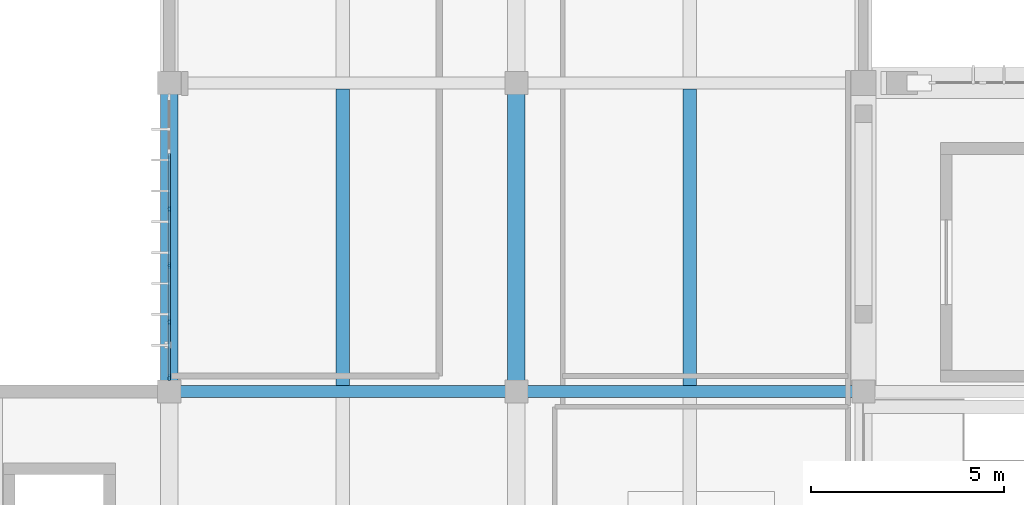
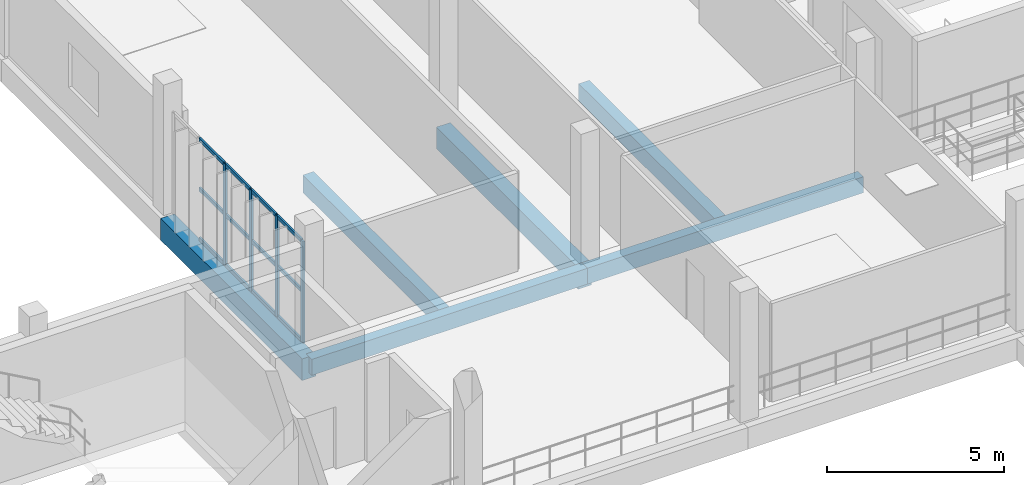
# One storey, part 8 of 81: 16 members, 6 beams, 1 element without a shape of its own.
"""IFC4 building model written with IfcOpenShell, lengths in metres."""

from ifc_helpers import new_model, si_unit, direction, frame, origin, origin_2d, place, context, subcontext, project, spatial, rectangle, extrude, material, material_profile, profile_set, type_object, element, aggregate, save


model = new_model("IFC4")

# Units and contexts
model_context = context("Model", 3, precision=1e-05, world=origin(), true_north=direction((0.0, 1.0)))
body_context = subcontext(model_context, "Body", "Model", "MODEL_VIEW")
ifc_project = project(units=[si_unit("LENGTHUNIT", "METRE"), si_unit("AREAUNIT", "SQUARE_METRE"), si_unit("VOLUMEUNIT", "CUBIC_METRE"), si_unit("PLANEANGLEUNIT", "RADIAN"), si_unit("MASSUNIT", "GRAM", prefix="KILO")], contexts=[model_context])

# Site, building, storey
site_placement = place(None, origin())
site = spatial("IfcSite", under=ifc_project, at=site_placement, CompositionType="ELEMENT")
building_placement = place(site_placement, origin())
building = spatial("IfcBuilding", under=site, at=building_placement, Name="Vourika Railside Aquatics Centre", CompositionType="ELEMENT")
storey_placement = place(building_placement, frame((0.0, 0.0, 4.800048828125)))
storey = spatial("IfcBuildingStorey", under=building, at=storey_placement, Name="L01", CompositionType="ELEMENT", Elevation=4.800048828125)

# Beams
ifc_material_1 = material(Name="Concrete C35/45", Category="concrete")
ifc_material_profile_1 = material_profile(ifc_material_1, rectangle(XDim=0.449951171875, YDim=0.75, at=origin_2d()), Name="RC 450x750")
ifc_profile_set_1 = profile_set([ifc_material_profile_1], Name="Concrete C35/45")
beam_type_1 = type_object("IfcBeamType", Name="BM-GIRD-450x750", PredefinedType="BEAM", material=ifc_profile_set_1)
for number, where, z_axis, x_axis, name in (
    (1, (18.0, 58.0, -0.675048828125), (0.0, 1.0, 0.0), (-1.0, 0.0, 0.0), "Floor Girder GY-L01-174"),
    (2, (27.0, 58.0, -0.675048828125), (0.0, 1.0, 0.0), (-1.0, 0.0, 0.0), "Floor Girder GY-L01-182"),
):
    element("IfcBeam", number, at=place(storey_placement, frame(where, z_axis=z_axis, x_axis=x_axis)), inside=storey, type_object=beam_type_1, Name=name, PredefinedType="BEAM", context=body_context, shape_type="SweptSolid", body=[
        extrude(rectangle(XDim=0.449951171875, YDim=0.75, at=origin_2d()), origin(), (0.0, 0.0, 1.0), 8.0),
    ])
ifc_material_profile_2 = material_profile(ifc_material_1, rectangle(XDim=0.35009765625, YDim=0.60009765625, at=origin_2d()), Name="RC 350x600")
ifc_profile_set_2 = profile_set([ifc_material_profile_2], Name="Concrete C35/45")
beam_type_2 = type_object("IfcBeamType", Name="BM-SEC-350x600", PredefinedType="JOIST", material=ifc_profile_set_2)
for number, where, z_axis, x_axis, name in (
    (3, (22.5, 58.159912109375, -0.60009765625), (0.0, 1.0, 0.0), (-1.0, 0.0, 0.0), "Secondary Joist JY-L01-331"),
    (4, (31.5, 58.159912109375, -0.60009765625), (0.0, 1.0, 0.0), (-1.0, 0.0, 0.0), "Secondary Joist JY-L01-332"),
):
    element("IfcBeam", number, at=place(storey_placement, frame(where, z_axis=z_axis, x_axis=x_axis)), inside=storey, type_object=beam_type_2, Name=name, PredefinedType="JOIST", context=body_context, shape_type="SweptSolid", body=[
        extrude(rectangle(XDim=0.35009765625, YDim=0.60009765625, at=origin_2d()), origin(), (0.0, 0.0, 1.0), 7.68017578125),
    ])
ifc_material_profile_3 = material_profile(ifc_material_1, rectangle(XDim=0.320068359375, YDim=0.550048828125, at=origin_2d()), Name="RC 320x550")
ifc_profile_set_3 = profile_set([ifc_material_profile_3], Name="Concrete C35/45")
beam_type_3 = type_object("IfcBeamType", Name="BM-SPAN-320x550", PredefinedType="SPANDREL", material=ifc_profile_set_3)
for number, where, z_axis, x_axis, name in (
    (5, (18.0, 58.0, -0.574951171875), (1.0, 0.0, 0.0), (0.0, 1.0, 0.0), "Floor Beam GX-L01-060"),
    (6, (27.0, 58.0, -0.574951171875), (1.0, 0.0, 0.0), (0.0, 1.0, 0.0), "Floor Beam GX-L01-061"),
):
    element("IfcBeam", number, at=place(storey_placement, frame(where, z_axis=z_axis, x_axis=x_axis)), inside=storey, type_object=beam_type_3, Name=name, PredefinedType="SPANDREL", context=body_context, shape_type="SweptSolid", body=[
        extrude(rectangle(XDim=0.320068359375, YDim=0.550048828125, at=origin_2d()), origin(), (0.0, 0.0, 1.0), 9.0),
    ])

# Curtain wall, members
ifc_material_2 = material(Name="Anodized thermally broken aluminium", Category="aluminium")
curtain_wall_type = type_object("IfcCurtainWallType", Name="CW-FIT1", PredefinedType="NOTDEFINED", material=ifc_material_2)
curtain_wall_placement = place(storey_placement, origin())
curtain_wall = element("IfcCurtainWall", 7, at=curtain_wall_placement, inside=storey, type_object=curtain_wall_type, Name="Fitness West Boulevard Curtain Wall L01-1", PredefinedType="NOTDEFINED")
ifc_material_3 = material(Name="Anodized aluminium mullion", Category="aluminium")
ifc_material_profile_4 = material_profile(ifc_material_3, rectangle(XDim=0.06201171875, YDim=0.156005859375, at=origin_2d()), Name="ALU-M 62x156")
ifc_profile_set_4 = profile_set([ifc_material_profile_4], Name="Anodized aluminium mullion")
member_type_1 = type_object("IfcMemberType", Name="CWM-FIT1", PredefinedType="MULLION", material=ifc_profile_set_4)
member_1_placement = place(storey_placement, frame((18.0, 62.73388671875, 0.0), z_axis=(0.0, 0.0, 1.0), x_axis=(1.0, 0.0, 0.0)))
member_1 = element("IfcMember", 8, at=member_1_placement, type_object=member_type_1, Name="CW15 mullion 3", PredefinedType="MULLION", context=body_context, shape_type="SweptSolid", body=[
    extrude(rectangle(XDim=0.06201171875, YDim=0.156005859375, at=origin_2d()), origin(), (0.0, 0.0, 1.0), 3.5),
])
member_2_placement = place(storey_placement, frame((18.0, 61.26611328125, 0.0), z_axis=(0.0, 0.0, 1.0), x_axis=(1.0, 0.0, 0.0)))
member_2 = element("IfcMember", 9, at=member_2_placement, type_object=member_type_1, Name="CW15 mullion 4", PredefinedType="MULLION", context=body_context, shape_type="SweptSolid", body=[
    extrude(rectangle(XDim=0.06201171875, YDim=0.156005859375, at=origin_2d()), origin(), (0.0, 0.0, 1.0), 3.5),
])
member_3_placement = place(storey_placement, frame((18.0, 59.798095703125, 0.0), z_axis=(0.0, 0.0, 1.0), x_axis=(1.0, 0.0, 0.0)))
member_3 = element("IfcMember", 10, at=member_3_placement, type_object=member_type_1, Name="CW15 mullion 5", PredefinedType="MULLION", context=body_context, shape_type="SweptSolid", body=[
    extrude(rectangle(XDim=0.06201171875, YDim=0.156005859375, at=origin_2d()), origin(), (0.0, 0.0, 1.0), 3.5),
])
member_4_placement = place(storey_placement, frame((18.0, 58.361083984375, 0.0), z_axis=(0.0, 0.0, 1.0), x_axis=(1.0, 0.0, 0.0)))
member_4 = element("IfcMember", 11, at=member_4_placement, type_object=member_type_1, Name="CW15 mullion 6", PredefinedType="MULLION", context=body_context, shape_type="SweptSolid", body=[
    extrude(rectangle(XDim=0.06201171875, YDim=0.156005859375, at=origin_2d()), origin(), (0.0, 0.0, 1.0), 3.5),
])
ifc_material_4 = material(Name="Anodized aluminium transom", Category="aluminium")
ifc_material_profile_5 = material_profile(ifc_material_4, rectangle(XDim=0.06201171875, YDim=0.1220703125, at=origin_2d()), Name="ALU-T 62x122")
ifc_profile_set_5 = profile_set([ifc_material_profile_5], Name="Anodized aluminium transom")
member_type_2 = type_object("IfcMemberType", Name="CWT-FIT1", PredefinedType="USERDEFINED", material=ifc_profile_set_5)
member_5_placement = place(storey_placement, frame((18.0, 64.1708984375, 0.031005859375), z_axis=(0.0, -1.0, 0.0), x_axis=(1.0, 0.0, 0.0)))
member_5 = element("IfcMember", 12, at=member_5_placement, type_object=member_type_2, Name="CW15 transom 2.1", ObjectType="TRANSOM", PredefinedType="USERDEFINED", context=body_context, shape_type="SweptSolid", body=[
    extrude(rectangle(XDim=0.06201171875, YDim=0.1220703125, at=origin_2d()), origin(), (0.0, 0.0, 1.0), 1.406005859375),
])
member_6_placement = place(storey_placement, frame((18.0, 64.1708984375, 1.75), z_axis=(0.0, -1.0, 0.0), x_axis=(1.0, 0.0, 0.0)))
member_6 = element("IfcMember", 13, at=member_6_placement, type_object=member_type_2, Name="CW15 transom 2.2", ObjectType="TRANSOM", PredefinedType="USERDEFINED", context=body_context, shape_type="SweptSolid", body=[
    extrude(rectangle(XDim=0.06201171875, YDim=0.1220703125, at=origin_2d()), origin(), (0.0, 0.0, 1.0), 1.406005859375),
])
member_7_placement = place(storey_placement, frame((18.0, 64.1708984375, 3.468994140625), z_axis=(0.0, -1.0, 0.0), x_axis=(1.0, 0.0, 0.0)))
member_7 = element("IfcMember", 14, at=member_7_placement, type_object=member_type_2, Name="CW15 transom 2.3", ObjectType="TRANSOM", PredefinedType="USERDEFINED", context=body_context, shape_type="SweptSolid", body=[
    extrude(rectangle(XDim=0.06201171875, YDim=0.1220703125, at=origin_2d()), origin(), (0.0, 0.0, 1.0), 1.406005859375),
])
member_8_placement = place(storey_placement, frame((18.0, 62.702880859375, 0.031005859375), z_axis=(0.0, -1.0, 0.0), x_axis=(1.0, 0.0, 0.0)))
member_8 = element("IfcMember", 15, at=member_8_placement, type_object=member_type_2, Name="CW15 transom 3.1", ObjectType="TRANSOM", PredefinedType="USERDEFINED", context=body_context, shape_type="SweptSolid", body=[
    extrude(rectangle(XDim=0.06201171875, YDim=0.1220703125, at=origin_2d()), origin(), (0.0, 0.0, 1.0), 1.40576171875),
])
member_9_placement = place(storey_placement, frame((18.0, 62.702880859375, 1.75), z_axis=(0.0, -1.0, 0.0), x_axis=(1.0, 0.0, 0.0)))
member_9 = element("IfcMember", 16, at=member_9_placement, type_object=member_type_2, Name="CW15 transom 3.2", ObjectType="TRANSOM", PredefinedType="USERDEFINED", context=body_context, shape_type="SweptSolid", body=[
    extrude(rectangle(XDim=0.06201171875, YDim=0.1220703125, at=origin_2d()), origin(), (0.0, 0.0, 1.0), 1.40576171875),
])
member_10_placement = place(storey_placement, frame((18.0, 62.702880859375, 3.468994140625), z_axis=(0.0, -1.0, 0.0), x_axis=(1.0, 0.0, 0.0)))
member_10 = element("IfcMember", 17, at=member_10_placement, type_object=member_type_2, Name="CW15 transom 3.3", ObjectType="TRANSOM", PredefinedType="USERDEFINED", context=body_context, shape_type="SweptSolid", body=[
    extrude(rectangle(XDim=0.06201171875, YDim=0.1220703125, at=origin_2d()), origin(), (0.0, 0.0, 1.0), 1.40576171875),
])
member_11_placement = place(storey_placement, frame((18.0, 61.235107421875, 0.031005859375), z_axis=(0.0, -1.0, 0.0), x_axis=(1.0, 0.0, 0.0)))
member_11 = element("IfcMember", 18, at=member_11_placement, type_object=member_type_2, Name="CW15 transom 4.1", ObjectType="TRANSOM", PredefinedType="USERDEFINED", context=body_context, shape_type="SweptSolid", body=[
    extrude(rectangle(XDim=0.06201171875, YDim=0.1220703125, at=origin_2d()), origin(), (0.0, 0.0, 1.0), 1.406005859375),
])
member_12_placement = place(storey_placement, frame((18.0, 61.235107421875, 1.75), z_axis=(0.0, -1.0, 0.0), x_axis=(1.0, 0.0, 0.0)))
member_12 = element("IfcMember", 19, at=member_12_placement, type_object=member_type_2, Name="CW15 transom 4.2", ObjectType="TRANSOM", PredefinedType="USERDEFINED", context=body_context, shape_type="SweptSolid", body=[
    extrude(rectangle(XDim=0.06201171875, YDim=0.1220703125, at=origin_2d()), origin(), (0.0, 0.0, 1.0), 1.406005859375),
])
member_13_placement = place(storey_placement, frame((18.0, 61.235107421875, 3.468994140625), z_axis=(0.0, -1.0, 0.0), x_axis=(1.0, 0.0, 0.0)))
member_13 = element("IfcMember", 20, at=member_13_placement, type_object=member_type_2, Name="CW15 transom 4.3", ObjectType="TRANSOM", PredefinedType="USERDEFINED", context=body_context, shape_type="SweptSolid", body=[
    extrude(rectangle(XDim=0.06201171875, YDim=0.1220703125, at=origin_2d()), origin(), (0.0, 0.0, 1.0), 1.406005859375),
])
member_14_placement = place(storey_placement, frame((18.0, 59.76708984375, 0.031005859375), z_axis=(0.0, -1.0, 0.0), x_axis=(1.0, 0.0, 0.0)))
member_14 = element("IfcMember", 21, at=member_14_placement, type_object=member_type_2, Name="CW15 transom 5.1", ObjectType="TRANSOM", PredefinedType="USERDEFINED", context=body_context, shape_type="SweptSolid", body=[
    extrude(rectangle(XDim=0.06201171875, YDim=0.1220703125, at=origin_2d()), origin(), (0.0, 0.0, 1.0), 1.375),
])
member_15_placement = place(storey_placement, frame((18.0, 59.76708984375, 1.75), z_axis=(0.0, -1.0, 0.0), x_axis=(1.0, 0.0, 0.0)))
member_15 = element("IfcMember", 22, at=member_15_placement, type_object=member_type_2, Name="CW15 transom 5.2", ObjectType="TRANSOM", PredefinedType="USERDEFINED", context=body_context, shape_type="SweptSolid", body=[
    extrude(rectangle(XDim=0.06201171875, YDim=0.1220703125, at=origin_2d()), origin(), (0.0, 0.0, 1.0), 1.375),
])
member_16_placement = place(storey_placement, frame((18.0, 59.76708984375, 3.468994140625), z_axis=(0.0, -1.0, 0.0), x_axis=(1.0, 0.0, 0.0)))
member_16 = element("IfcMember", 23, at=member_16_placement, type_object=member_type_2, Name="CW15 transom 5.3", ObjectType="TRANSOM", PredefinedType="USERDEFINED", context=body_context, shape_type="SweptSolid", body=[
    extrude(rectangle(XDim=0.06201171875, YDim=0.1220703125, at=origin_2d()), origin(), (0.0, 0.0, 1.0), 1.375),
])
aggregate(curtain_wall, [member_1, member_2, member_3, member_4, member_5, member_6, member_7, member_8, member_9, member_10, member_11, member_12, member_13, member_14, member_15, member_16])

save(model, "model.ifc")
